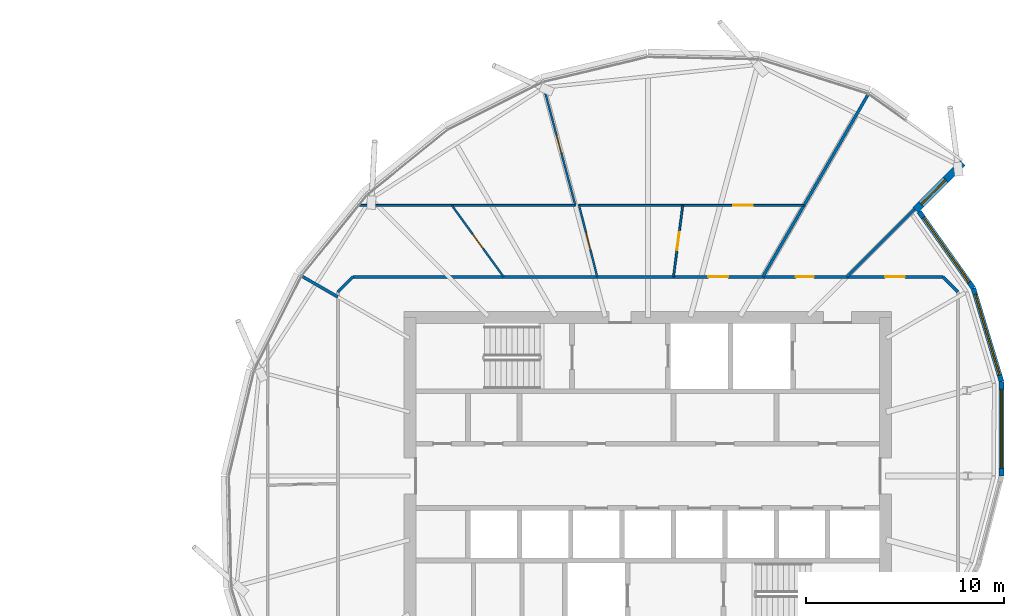
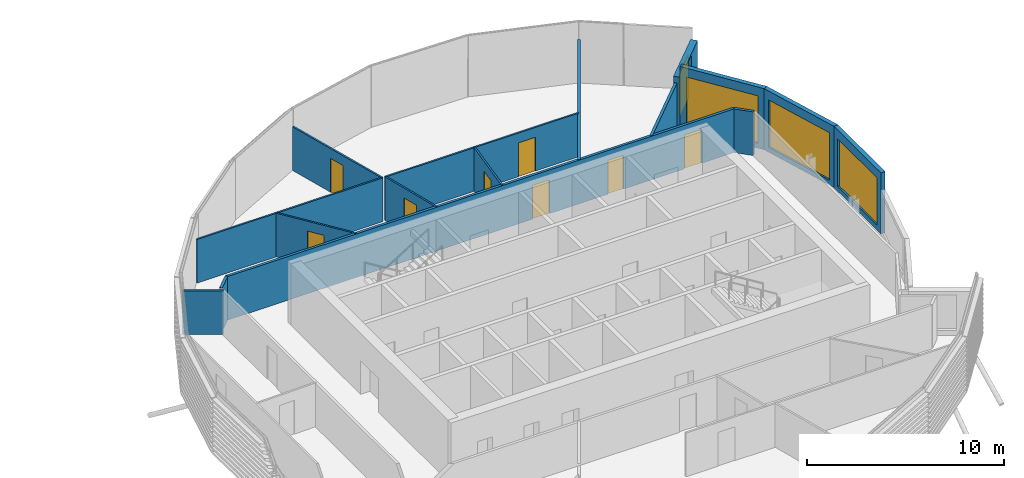
# One storey, part 24 of 37: 16 walls, 8 doors, 4 windows, 12 openings.
"""IFC4 building model written with IfcOpenShell, lengths in metres."""

from ifc_helpers import new_model, si_unit, direction, frame, frame_2d, origin, place, context, subcontext, project, spatial, rectangle, extrude, material, layer, layer_set, type_object, element, fill, save


model = new_model("IFC4")

# Units and contexts
model_context = context("Model", 3, precision=1e-05, world=origin(), true_north=direction((0.0, 1.0)))
body_context = subcontext(model_context, "Body", "Model", "MODEL_VIEW")
ifc_project = project(units=[si_unit("LENGTHUNIT", "METRE"), si_unit("AREAUNIT", "SQUARE_METRE"), si_unit("VOLUMEUNIT", "CUBIC_METRE"), si_unit("PLANEANGLEUNIT", "RADIAN"), si_unit("MASSUNIT", "GRAM", prefix="KILO")], contexts=[model_context])

# Site, building, storey
site_placement = place(None, origin())
site = spatial("IfcSite", under=ifc_project, at=site_placement, CompositionType="ELEMENT")
building_placement = place(site_placement, origin())
building = spatial("IfcBuilding", under=site, at=building_placement, Name="Rimbun Link Towers", CompositionType="ELEMENT")
storey_placement = place(building_placement, frame((0.0, 0.0, 166.5)))
storey = spatial("IfcBuildingStorey", under=building, at=storey_placement, Name="L40", CompositionType="ELEMENT", Elevation=166.5)

# Wall, opening, window
ifc_material_1 = material(Name="Dark enamelled glass spandrel on insulated aluminium backpan", Category="aluminium")
ifc_layer_1 = layer(ifc_material_1, 0.25)
ifc_layer_set_1 = layer_set([ifc_layer_1], Name="CS dark enamelled spandrel wall 250")
wall_type_1 = type_object("IfcWallType", Name="CS dark enamelled spandrel wall 250", PredefinedType="STANDARD", material=ifc_layer_set_1)
wall_1_placement = place(storey_placement, frame((49.6044921875, 4.76904296875, 0.0), z_axis=(0.0, 0.0, 1.0), x_axis=(0.000561253037, -0.999999842498, 0.0)))
wall_1 = element("IfcWall", 1, at=wall_1_placement, inside=storey, type_object=wall_type_1, Name="Crease spandrel wall", PredefinedType="STANDARD", context=body_context, shape_type="SweptSolid", body=[
    extrude(rectangle(XDim=4.784912109375, YDim=0.25, at=frame_2d((2.392578125, 0.0))), origin(), (0.0, 0.0, 1.0), 3.800048828125),
])
opening_1_placement = place(wall_1_placement, frame((0.392578125, 0.0, 0.300048828125)))
opening_1 = element("IfcOpeningElement", 2, at=opening_1_placement, cuts=wall_1, Name="Opening WR40H295", PredefinedType="OPENING", context=body_context, shape_type="SweptSolid", body=[
    extrude(rectangle(XDim=4.0, YDim=2.949951171875, at=frame_2d((2.0, 1.47509765625))), frame((0.0, 0.135009765625, 0.0), z_axis=(0.0, -1.0, 0.0), x_axis=(1.0, 0.0, 0.0)), (0.0, 0.0, 1.0), 0.27001953125),
])
ifc_material_2 = material(Name="Aluminium framed fixed window, dark tinted low-e glass", Category="aluminium")
window_type_1 = type_object("IfcWindowType", Name="WR ribbon window 4000X2950", PartitioningType="SINGLE_PANEL", PredefinedType="WINDOW", material=ifc_material_2)
window_1_placement = place(opening_1_placement, origin())
window_1 = element("IfcWindow", 3, at=window_1_placement, inside=storey, type_object=window_type_1, Name="Crease ribbon window", OverallHeight=2.949951171875, OverallWidth=4.0, PartitioningType="SINGLE_PANEL", PredefinedType="WINDOW", context=body_context, shape_type="SweptSolid", body=[
    extrude(rectangle(XDim=4.0, YDim=2.949951171875, at=frame_2d((2.0, 1.47509765625))), frame((0.0, 0.030029296875, 0.0), z_axis=(0.0, -1.0, 0.0), x_axis=(1.0, 0.0, 0.0)), (0.0, 0.0, 1.0), 0.06005859375),
])
fill(opening_1, window_1)

wall_2_placement = place(storey_placement, frame((48.18603515625, 9.479248046875, 0.0), z_axis=(0.0, 0.0, 1.0), x_axis=(0.288353999534, -0.957523874873, 0.0)))
wall_2 = element("IfcWall", 4, at=wall_2_placement, inside=storey, type_object=wall_type_1, Name="Crease spandrel wall", PredefinedType="STANDARD", context=body_context, shape_type="SweptSolid", body=[
    extrude(rectangle(XDim=4.919189453125, YDim=0.25, at=frame_2d((2.45947265625, 0.0))), origin(), (0.0, 0.0, 1.0), 3.800048828125),
])
opening_2_placement = place(wall_2_placement, frame((0.33447265625, 0.0, 0.300048828125)))
opening_2 = element("IfcOpeningElement", 5, at=opening_2_placement, cuts=wall_2, Name="Opening WR42H295", PredefinedType="OPENING", context=body_context, shape_type="SweptSolid", body=[
    extrude(rectangle(XDim=4.25, YDim=2.949951171875, at=frame_2d((2.125, 1.47509765625))), frame((0.0, 0.135009765625, 0.0), z_axis=(0.0, -1.0, 0.0), x_axis=(1.0, 0.0, 0.0)), (0.0, 0.0, 1.0), 0.27001953125),
])
ifc_material_3 = material(Name="Aluminium framed fixed window, dark tinted low-e glass", Category="aluminium")
window_type_2 = type_object("IfcWindowType", Name="WR ribbon window 4250X2950", PartitioningType="SINGLE_PANEL", PredefinedType="WINDOW", material=ifc_material_3)
window_2_placement = place(opening_2_placement, origin())
window_2 = element("IfcWindow", 6, at=window_2_placement, inside=storey, type_object=window_type_2, Name="Crease ribbon window", OverallHeight=2.949951171875, OverallWidth=4.25, PartitioningType="SINGLE_PANEL", PredefinedType="WINDOW", context=body_context, shape_type="SweptSolid", body=[
    extrude(rectangle(XDim=4.25, YDim=2.949951171875, at=frame_2d((2.125, 1.47509765625))), frame((0.0, 0.030029296875, 0.0), z_axis=(0.0, -1.0, 0.0), x_axis=(1.0, 0.0, 0.0)), (0.0, 0.0, 1.0), 0.06005859375),
])
fill(opening_2, window_2)

wall_3_placement = place(storey_placement, frame((45.44677734375, 13.34326171875, 0.0), z_axis=(0.0, 0.0, 1.0), x_axis=(0.578333359796, -0.815800542379, 0.0)))
wall_3 = element("IfcWall", 7, at=wall_3_placement, inside=storey, type_object=wall_type_1, Name="Crease spandrel wall", PredefinedType="STANDARD", context=body_context, shape_type="SweptSolid", body=[
    extrude(rectangle(XDim=4.736572265625, YDim=0.25, at=frame_2d((2.3681640625, 0.0))), origin(), (0.0, 0.0, 1.0), 3.800048828125),
])
opening_3_placement = place(wall_3_placement, frame((0.3681640625, 0.0, 0.300048828125)))
opening_3 = element("IfcOpeningElement", 8, at=opening_3_placement, cuts=wall_3, Name="Opening WR40H295", PredefinedType="OPENING", context=body_context, shape_type="SweptSolid", body=[
    extrude(rectangle(XDim=4.0, YDim=2.949951171875, at=frame_2d((2.0, 1.47509765625))), frame((0.0, 0.135009765625, 0.0), z_axis=(0.0, -1.0, 0.0), x_axis=(1.0, 0.0, 0.0)), (0.0, 0.0, 1.0), 0.27001953125),
])
window_3_placement = place(opening_3_placement, origin())
window_3 = element("IfcWindow", 9, at=window_3_placement, inside=storey, type_object=window_type_1, Name="Crease ribbon window", OverallHeight=2.949951171875, OverallWidth=4.0, PartitioningType="SINGLE_PANEL", PredefinedType="WINDOW", context=body_context, shape_type="SweptSolid", body=[
    extrude(rectangle(XDim=4.0, YDim=2.949951171875, at=frame_2d((2.0, 1.47509765625))), frame((0.0, 0.030029296875, 0.0), z_axis=(0.0, -1.0, 0.0), x_axis=(1.0, 0.0, 0.0)), (0.0, 0.0, 1.0), 0.06005859375),
])
fill(opening_3, window_3)

ifc_material_4 = material(Name="Dark enamelled glass spandrel on insulated aluminium backpan", Category="aluminium")
ifc_layer_2 = layer(ifc_material_4, 0.3701171875)
ifc_layer_set_2 = layer_set([ifc_layer_2], Name="CS dark enamelled spandrel wall 370")
wall_type_2 = type_object("IfcWallType", Name="CS dark enamelled spandrel wall 370", PredefinedType="STANDARD", material=ifc_layer_set_2)
wall_4_placement = place(storey_placement, frame((47.646484375, 15.804443359375, 0.0), z_axis=(0.0, 0.0, 1.0), x_axis=(-0.707142895836, -0.707070664692, 0.0)))
wall_4 = element("IfcWall", 10, at=wall_4_placement, inside=storey, type_object=wall_type_2, Name="Crease spandrel wall", PredefinedType="STANDARD", context=body_context, shape_type="SweptSolid", body=[
    extrude(rectangle(XDim=3.3798828125, YDim=0.3701171875, at=frame_2d((1.68994140625, 0.0))), origin(), (0.0, 0.0, 1.0), 3.10693359375),
])
opening_4_placement = place(wall_4_placement, frame((1.2080078125, 0.0, 0.300048828125)))
opening_4 = element("IfcOpeningElement", 11, at=opening_4_placement, cuts=wall_4, Name="Opening WR18H270", PredefinedType="OPENING", context=body_context, shape_type="SweptSolid", body=[
    extrude(rectangle(XDim=1.75, YDim=2.699951171875, at=frame_2d((0.875, 1.35009765625))), frame((0.0, 0.195068359375, 0.0), z_axis=(0.0, -1.0, 0.0), x_axis=(1.0, 0.0, 0.0)), (0.0, 0.0, 1.0), 0.39013671875),
])
ifc_material_5 = material(Name="Aluminium framed fixed window, dark tinted low-e glass", Category="aluminium")
window_type_3 = type_object("IfcWindowType", Name="WR ribbon window 1750X2700", PartitioningType="SINGLE_PANEL", PredefinedType="WINDOW", material=ifc_material_5)
window_4_placement = place(opening_4_placement, origin())
window_4 = element("IfcWindow", 12, at=window_4_placement, inside=storey, type_object=window_type_3, Name="Crease ribbon window", OverallHeight=2.699951171875, OverallWidth=1.75, PartitioningType="SINGLE_PANEL", PredefinedType="WINDOW", context=body_context, shape_type="SweptSolid", body=[
    extrude(rectangle(XDim=1.75, YDim=2.699951171875, at=frame_2d((0.875, 1.35009765625))), frame((0.0, 0.030029296875, 0.0), z_axis=(0.0, -1.0, 0.0), x_axis=(1.0, 0.0, 0.0)), (0.0, 0.0, 1.0), 0.06005859375),
])
fill(opening_4, window_4)

# Walls
ifc_material_6 = material(Name="Plasterboard on steel stud, mineral wool", Category="steel")
ifc_layer_3 = layer(ifc_material_6, 0.14990234375)
ifc_layer_set_3 = layer_set([ifc_layer_3], Name="Corridor wall EI 30 150 mm")
wall_type_3 = type_object("IfcWallType", Name="Corridor wall EI 30 150 mm", PredefinedType="PARTITIONING", material=ifc_layer_set_3)
for number, where, z_axis, x_axis, name in (
    (13, (47.405029296875, 9.293701171875, 0.0), (0.0, 0.0, 1.0), (-0.707106781187, 0.707106781187, 0.0), "Corridor wall EI 30 150 mm"),
    (14, (16.856201171875, 10.054931640625, 0.0), (0.0, 0.0, 1.0), (-0.707106781187, -0.707106781187, 0.0), "Corridor wall EI 30 150 mm"),
):
    element("IfcWall", number, at=place(storey_placement, frame(where, z_axis=z_axis, x_axis=x_axis)), inside=storey, type_object=wall_type_3, Name=name, PredefinedType="PARTITIONING", context=body_context, shape_type="SweptSolid", body=[
        extrude(rectangle(XDim=1.07666015625, YDim=0.14990234375, at=frame_2d((0.538330078125, 0.0))), origin(), (0.0, 0.0, 1.0), 2.7119140625),
    ])

# Wall, openings, doors
wall_5_placement = place(storey_placement, frame((16.856201171875, 10.054931640625, 0.0), z_axis=(0.0, 0.0, 1.0), x_axis=(1.0, 0.0, 0.0)))
wall_5 = element("IfcWall", 15, at=wall_5_placement, inside=storey, type_object=wall_type_3, Name="Corridor wall EI 30 150 mm", PredefinedType="PARTITIONING", context=body_context, shape_type="SweptSolid", body=[
    extrude(rectangle(XDim=29.78759765625, YDim=0.14990234375, at=frame_2d((14.893798828125, 0.0))), origin(), (0.0, 0.0, 1.0), 2.7119140625),
])
opening_5_placement = place(wall_5_placement, frame((22.373779296875, 0.0, 0.0)))
opening_5 = element("IfcOpeningElement", 16, at=opening_5_placement, cuts=wall_5, Name="Opening D02", PredefinedType="OPENING", context=body_context, shape_type="SweptSolid", body=[
    extrude(rectangle(XDim=0.89990234375, YDim=2.10009765625, at=frame_2d((0.449951171875, 1.050048828125))), frame((0.0, 0.0849609375, 0.0), z_axis=(0.0, -1.0, 0.0), x_axis=(1.0, 0.0, 0.0)), (0.0, 0.0, 1.0), 0.169921875),
])
opening_6_placement = place(wall_5_placement, frame((17.944580078125, 0.0, 0.0)))
opening_6 = element("IfcOpeningElement", 17, at=opening_6_placement, cuts=wall_5, Name="Opening D01", PredefinedType="OPENING", context=body_context, shape_type="SweptSolid", body=[
    extrude(rectangle(XDim=1.0, YDim=2.10009765625, at=frame_2d((0.5, 1.050048828125))), frame((0.0, 0.0849609375, 0.0), z_axis=(0.0, -1.0, 0.0), x_axis=(1.0, 0.0, 0.0)), (0.0, 0.0, 1.0), 0.169921875),
])
opening_7_placement = place(wall_5_placement, frame((26.8681640625, 0.0, 0.0)))
opening_7 = element("IfcOpeningElement", 18, at=opening_7_placement, cuts=wall_5, Name="Opening D01", PredefinedType="OPENING", context=body_context, shape_type="SweptSolid", body=[
    extrude(rectangle(XDim=1.0, YDim=2.10009765625, at=frame_2d((0.5, 1.050048828125))), frame((0.0, 0.0849609375, 0.0), z_axis=(0.0, -1.0, 0.0), x_axis=(1.0, 0.0, 0.0)), (0.0, 0.0, 1.0), 0.169921875),
])
ifc_material_7 = material(Name="Fire-resisting timber door leaf", Category="wood")
door_type_1 = type_object("IfcDoorType", Name="Fire door FD30S 1000", OperationType="NOTDEFINED", PredefinedType="DOOR", material=ifc_material_7)
door_1_placement = place(opening_6_placement, origin())
door_1 = element("IfcDoor", 19, at=door_1_placement, inside=storey, type_object=door_type_1, Name="Fire door FD30S 1000 to Tenant lobby", OperationType="SINGLE_SWING_RIGHT", OverallHeight=2.10009765625, OverallWidth=1.0, PredefinedType="DOOR", context=body_context, shape_type="SweptSolid", body=[
    extrude(rectangle(XDim=1.0, YDim=2.10009765625, at=frame_2d((0.5, 1.050048828125))), frame((0.0, 0.02490234375, 0.0), z_axis=(0.0, -1.0, 0.0), x_axis=(1.0, 0.0, 0.0)), (0.0, 0.0, 1.0), 0.050048828125),
])
fill(opening_6, door_1)
door_2_placement = place(opening_7_placement, origin())
door_2 = element("IfcDoor", 20, at=door_2_placement, inside=storey, type_object=door_type_1, Name="Fire door FD30S 1000 to Terrace office", OperationType="SINGLE_SWING_LEFT", OverallHeight=2.10009765625, OverallWidth=1.0, PredefinedType="DOOR", context=body_context, shape_type="SweptSolid", body=[
    extrude(rectangle(XDim=1.0, YDim=2.10009765625, at=frame_2d((0.5, 1.050048828125))), frame((0.0, 0.02490234375, 0.0), z_axis=(0.0, -1.0, 0.0), x_axis=(1.0, 0.0, 0.0)), (0.0, 0.0, 1.0), 0.050048828125),
])
fill(opening_7, door_2)
ifc_material_8 = material(Name="Fire-resisting timber door leaf", Category="wood")
door_type_2 = type_object("IfcDoorType", Name="Fire door FD30S 900", OperationType="NOTDEFINED", PredefinedType="DOOR", material=ifc_material_8)
door_3_placement = place(opening_5_placement, origin())
door_3 = element("IfcDoor", 21, at=door_3_placement, inside=storey, type_object=door_type_2, Name="Fire door FD30S 900 to Print room", OperationType="SINGLE_SWING_LEFT", OverallHeight=2.10009765625, OverallWidth=0.89990234375, PredefinedType="DOOR", context=body_context, shape_type="SweptSolid", body=[
    extrude(rectangle(XDim=0.89990234375, YDim=2.10009765625, at=frame_2d((0.449951171875, 1.050048828125))), frame((0.0, 0.02490234375, 0.0), z_axis=(0.0, -1.0, 0.0), x_axis=(1.0, 0.0, 0.0)), (0.0, 0.0, 1.0), 0.050048828125),
])
fill(opening_5, door_3)

# Wall, opening, door
ifc_material_9 = material(Name="Plasterboard on steel stud", Category="steel")
ifc_layer_4 = layer(ifc_material_9, 0.10009765625)
ifc_layer_set_4 = layer_set([ifc_layer_4], Name="Plasterboard partition 100 mm")
wall_type_4 = type_object("IfcWallType", Name="Plasterboard partition 100 mm", PredefinedType="PARTITIONING", material=ifc_layer_set_4)
wall_6_placement = place(storey_placement, frame((33.046875, 10.054931640625, 0.0), z_axis=(0.0, 0.0, 1.0), x_axis=(0.127858229775, 0.991792454639, 0.0)))
wall_6 = element("IfcWall", 22, at=wall_6_placement, inside=storey, type_object=wall_type_4, Name="Plasterboard partition 100 mm", PredefinedType="PARTITIONING", context=body_context, shape_type="SweptSolid", body=[
    extrude(rectangle(XDim=3.6298828125, YDim=0.10009765625, at=frame_2d((1.81494140625, 0.0))), origin(), (0.0, 0.0, 1.0), 2.7119140625),
])
opening_8_placement = place(wall_6_placement, frame((1.364990234375, 0.0, 0.0)))
opening_8 = element("IfcOpeningElement", 23, at=opening_8_placement, cuts=wall_6, Name="Opening D04", PredefinedType="OPENING", context=body_context, shape_type="SweptSolid", body=[
    extrude(rectangle(XDim=0.89990234375, YDim=2.10009765625, at=frame_2d((0.449951171875, 1.050048828125))), frame((0.0, 0.06005859375, 0.0), z_axis=(0.0, -1.0, 0.0), x_axis=(1.0, 0.0, 0.0)), (0.0, 0.0, 1.0), 0.1201171875),
])
ifc_material_10 = material(Name="Timber door leaf", Category="wood")
door_type_3 = type_object("IfcDoorType", Name="Flush door 900", OperationType="NOTDEFINED", PredefinedType="DOOR", material=ifc_material_10)
door_4_placement = place(opening_8_placement, origin())
door_4 = element("IfcDoor", 24, at=door_4_placement, inside=storey, type_object=door_type_3, Name="Flush door 900 to Huddle room", OperationType="SINGLE_SWING_RIGHT", OverallHeight=2.10009765625, OverallWidth=0.89990234375, PredefinedType="DOOR", context=body_context, shape_type="SweptSolid", body=[
    extrude(rectangle(XDim=0.89990234375, YDim=2.10009765625, at=frame_2d((0.449951171875, 1.050048828125))), frame((0.0, 0.02490234375, 0.0), z_axis=(0.0, -1.0, 0.0), x_axis=(1.0, 0.0, 0.0)), (0.0, 0.0, 1.0), 0.050048828125),
])
fill(opening_8, door_4)

wall_7_placement = place(storey_placement, frame((28.25, 13.655029296875, 0.0), z_axis=(0.0, 0.0, 1.0), x_axis=(1.0, 0.0, 0.0)))
wall_7 = element("IfcWall", 25, at=wall_7_placement, inside=storey, type_object=wall_type_4, Name="Plasterboard partition 100 mm", PredefinedType="PARTITIONING", context=body_context, shape_type="SweptSolid", body=[
    extrude(rectangle(XDim=11.3837890625, YDim=0.10009765625, at=frame_2d((5.69189453125, 0.0))), origin(), (0.0, 0.0, 1.0), 2.7119140625),
])
opening_9_placement = place(wall_7_placement, frame((7.807373046875, 0.0, 0.0)))
opening_9 = element("IfcOpeningElement", 26, at=opening_9_placement, cuts=wall_7, Name="Opening D03", PredefinedType="OPENING", context=body_context, shape_type="SweptSolid", body=[
    extrude(rectangle(XDim=1.0, YDim=2.10009765625, at=frame_2d((0.5, 1.050048828125))), frame((0.0, 0.06005859375, 0.0), z_axis=(0.0, -1.0, 0.0), x_axis=(1.0, 0.0, 0.0)), (0.0, 0.0, 1.0), 0.1201171875),
])
ifc_material_11 = material(Name="Timber door leaf", Category="wood")
door_type_4 = type_object("IfcDoorType", Name="Flush door 1000", OperationType="NOTDEFINED", PredefinedType="DOOR", material=ifc_material_11)
door_5_placement = place(opening_9_placement, origin())
door_5 = element("IfcDoor", 27, at=door_5_placement, inside=storey, type_object=door_type_4, Name="Flush door 1000 to Open office", OperationType="SINGLE_SWING_LEFT", OverallHeight=2.10009765625, OverallWidth=1.0, PredefinedType="DOOR", context=body_context, shape_type="SweptSolid", body=[
    extrude(rectangle(XDim=1.0, YDim=2.10009765625, at=frame_2d((0.5, 1.050048828125))), frame((0.0, 0.02490234375, 0.0), z_axis=(0.0, -1.0, 0.0), x_axis=(1.0, 0.0, 0.0)), (0.0, 0.0, 1.0), 0.050048828125),
])
fill(opening_9, door_5)

wall_8_placement = place(storey_placement, frame((29.194580078125, 10.054931640625, 0.0), z_axis=(0.0, 0.0, 1.0), x_axis=(-0.246276351741, 0.969199648459, 0.0)))
wall_8 = element("IfcWall", 28, at=wall_8_placement, inside=storey, type_object=wall_type_4, Name="Plasterboard partition 100 mm", PredefinedType="PARTITIONING", context=body_context, shape_type="SweptSolid", body=[
    extrude(rectangle(XDim=3.714599609375, YDim=0.10009765625, at=frame_2d((1.857421875, 0.0))), origin(), (0.0, 0.0, 1.0), 2.7119140625),
])
opening_10_placement = place(wall_8_placement, frame((1.4072265625, 0.0, 0.0)))
opening_10 = element("IfcOpeningElement", 29, at=opening_10_placement, cuts=wall_8, Name="Opening D04", PredefinedType="OPENING", context=body_context, shape_type="SweptSolid", body=[
    extrude(rectangle(XDim=0.89990234375, YDim=2.10009765625, at=frame_2d((0.449951171875, 1.050048828125))), frame((0.0, 0.06005859375, 0.0), z_axis=(0.0, -1.0, 0.0), x_axis=(1.0, 0.0, 0.0)), (0.0, 0.0, 1.0), 0.1201171875),
])
door_6_placement = place(opening_10_placement, origin())
door_6 = element("IfcDoor", 30, at=door_6_placement, inside=storey, type_object=door_type_3, Name="Flush door 900 to Huddle room", OperationType="SINGLE_SWING_LEFT", OverallHeight=2.10009765625, OverallWidth=0.89990234375, PredefinedType="DOOR", context=body_context, shape_type="SweptSolid", body=[
    extrude(rectangle(XDim=0.89990234375, YDim=2.10009765625, at=frame_2d((0.449951171875, 1.050048828125))), frame((0.0, 0.02490234375, 0.0), z_axis=(0.0, -1.0, 0.0), x_axis=(1.0, 0.0, 0.0)), (0.0, 0.0, 1.0), 0.050048828125),
])
fill(opening_10, door_6)

wall_9_placement = place(storey_placement, frame((24.4658203125, 10.054931640625, 0.0), z_axis=(0.0, 0.0, 1.0), x_axis=(-0.586684960806, 0.809815260886, 0.0)))
wall_9 = element("IfcWall", 31, at=wall_9_placement, inside=storey, type_object=wall_type_4, Name="Plasterboard partition 100 mm", PredefinedType="PARTITIONING", context=body_context, shape_type="SweptSolid", body=[
    extrude(rectangle(XDim=4.445556640625, YDim=0.10009765625, at=frame_2d((2.22265625, 0.0))), origin(), (0.0, 0.0, 1.0), 2.7119140625),
])
opening_11_placement = place(wall_9_placement, frame((1.772705078125, 0.0, 0.0)))
opening_11 = element("IfcOpeningElement", 32, at=opening_11_placement, cuts=wall_9, Name="Opening D04", PredefinedType="OPENING", context=body_context, shape_type="SweptSolid", body=[
    extrude(rectangle(XDim=0.89990234375, YDim=2.10009765625, at=frame_2d((0.449951171875, 1.050048828125))), frame((0.0, 0.06005859375, 0.0), z_axis=(0.0, -1.0, 0.0), x_axis=(1.0, 0.0, 0.0)), (0.0, 0.0, 1.0), 0.1201171875),
])
door_7_placement = place(opening_11_placement, origin())
door_7 = element("IfcDoor", 33, at=door_7_placement, inside=storey, type_object=door_type_3, Name="Flush door 900 to Pantry", OperationType="SINGLE_SWING_RIGHT", OverallHeight=2.10009765625, OverallWidth=0.89990234375, PredefinedType="DOOR", context=body_context, shape_type="SweptSolid", body=[
    extrude(rectangle(XDim=0.89990234375, YDim=2.10009765625, at=frame_2d((0.449951171875, 1.050048828125))), frame((0.0, 0.02490234375, 0.0), z_axis=(0.0, -1.0, 0.0), x_axis=(1.0, 0.0, 0.0)), (0.0, 0.0, 1.0), 0.050048828125),
])
fill(opening_11, door_7)

# Wall
wall_10_placement = place(storey_placement, frame((28.09130859375, 13.655029296875, 0.0), z_axis=(0.0, 0.0, 1.0), x_axis=(-1.0, 0.0, 0.0)))
element("IfcWall", 34, at=wall_10_placement, inside=storey, type_object=wall_type_4, Name="Plasterboard partition 100 mm", PredefinedType="PARTITIONING", context=body_context, shape_type="SweptSolid", body=[
    extrude(rectangle(XDim=10.918701171875, YDim=0.10009765625, at=frame_2d((5.45947265625, 0.0))), origin(), (0.0, 0.0, 1.0), 2.7119140625),
])

# Wall, opening, door
wall_11_placement = place(storey_placement, frame((28.09130859375, 13.655029296875, 0.0), z_axis=(0.0, 0.0, 1.0), x_axis=(-0.258831074452, 0.965922602954, 0.0)))
wall_11 = element("IfcWall", 35, at=wall_11_placement, inside=storey, type_object=wall_type_4, Name="Plasterboard partition 100 mm", PredefinedType="PARTITIONING", context=body_context, shape_type="SweptSolid", body=[
    extrude(rectangle(XDim=6.423583984375, YDim=0.10009765625, at=frame_2d((3.2119140625, 0.0))), origin(), (0.0, 0.0, 1.0), 2.7119140625),
])
opening_12_placement = place(wall_11_placement, frame((2.76171875, 0.0, 0.0)))
opening_12 = element("IfcOpeningElement", 36, at=opening_12_placement, cuts=wall_11, Name="Opening D04", PredefinedType="OPENING", context=body_context, shape_type="SweptSolid", body=[
    extrude(rectangle(XDim=0.89990234375, YDim=2.10009765625, at=frame_2d((0.449951171875, 1.050048828125))), frame((0.0, 0.06005859375, 0.0), z_axis=(0.0, -1.0, 0.0), x_axis=(1.0, 0.0, 0.0)), (0.0, 0.0, 1.0), 0.1201171875),
])
door_8_placement = place(opening_12_placement, origin())
door_8 = element("IfcDoor", 37, at=door_8_placement, inside=storey, type_object=door_type_3, Name="Flush door 900 to Project room", OperationType="SINGLE_SWING_RIGHT", OverallHeight=2.10009765625, OverallWidth=0.89990234375, PredefinedType="DOOR", context=body_context, shape_type="SweptSolid", body=[
    extrude(rectangle(XDim=0.89990234375, YDim=2.10009765625, at=frame_2d((0.449951171875, 1.050048828125))), frame((0.0, 0.02490234375, 0.0), z_axis=(0.0, -1.0, 0.0), x_axis=(1.0, 0.0, 0.0)), (0.0, 0.0, 1.0), 0.050048828125),
])
fill(opening_12, door_8)

# Walls
ifc_material_12 = material(Name="Plasterboard on steel stud, mineral wool", Category="steel")
ifc_layer_5 = layer(ifc_material_12, 0.14990234375)
ifc_layer_set_5 = layer_set([ifc_layer_5], Name="Tenancy separation wall EI 60 150 mm")
wall_type_5 = type_object("IfcWallType", Name="Tenancy separation wall EI 60 150 mm", PredefinedType="PARTITIONING", material=ifc_layer_set_5)
wall_12_placement = place(storey_placement, frame((41.804931640625, 10.054931640625, 0.0), z_axis=(0.0, 0.0, 1.0), x_axis=(0.707106781187, 0.707106781187, 0.0)))
element("IfcWall", 38, at=wall_12_placement, inside=storey, type_object=wall_type_5, Name="Tenancy separation wall EI 60 150 mm", PredefinedType="PARTITIONING", context=body_context, shape_type="SweptSolid", body=[
    extrude(rectangle(XDim=4.816162109375, YDim=0.14990234375, at=frame_2d((2.408203125, 0.0))), origin(), (0.0, 0.0, 1.0), 2.7119140625),
])
wall_13_placement = place(storey_placement, frame((37.555419921875, 10.054931640625, 0.0), z_axis=(0.0, 0.0, 1.0), x_axis=(0.499982733475, 0.866035372388, 0.0)))
element("IfcWall", 39, at=wall_13_placement, inside=storey, type_object=wall_type_5, Name="Tenancy separation wall EI 60 150 mm", PredefinedType="PARTITIONING", context=body_context, shape_type="SweptSolid", body=[
    extrude(rectangle(XDim=10.63671875, YDim=0.14990234375, at=frame_2d((5.318359375, 0.0))), origin(), (0.0, 0.0, 1.0), 2.7119140625),
])
wall_14_placement = place(storey_placement, frame((16.094970703125, 9.038330078125, 0.0), z_axis=(0.0, 0.0, 1.0), x_axis=(-0.866008785421, 0.500028782745, 0.0)))
element("IfcWall", 40, at=wall_14_placement, inside=storey, type_object=wall_type_5, Name="Tenancy separation wall EI 60 150 mm", PredefinedType="PARTITIONING", context=body_context, shape_type="SweptSolid", body=[
    extrude(rectangle(XDim=2.0927734375, YDim=0.14990234375, at=frame_2d((1.04638671875, 0.0))), origin(), (0.0, 0.0, 1.0), 2.7119140625),
])

save(model, "model.ifc")
